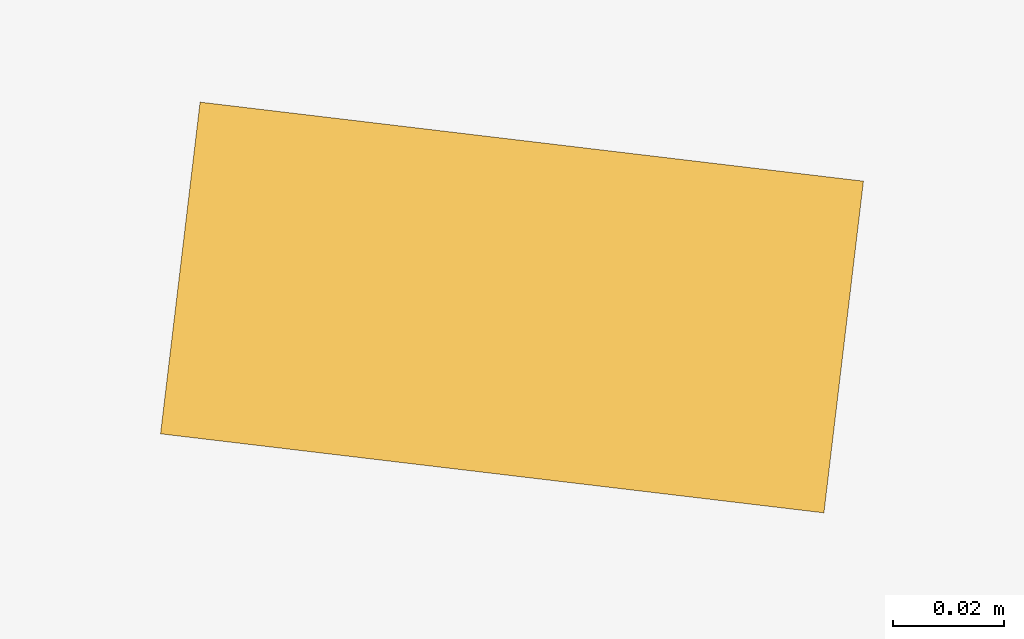
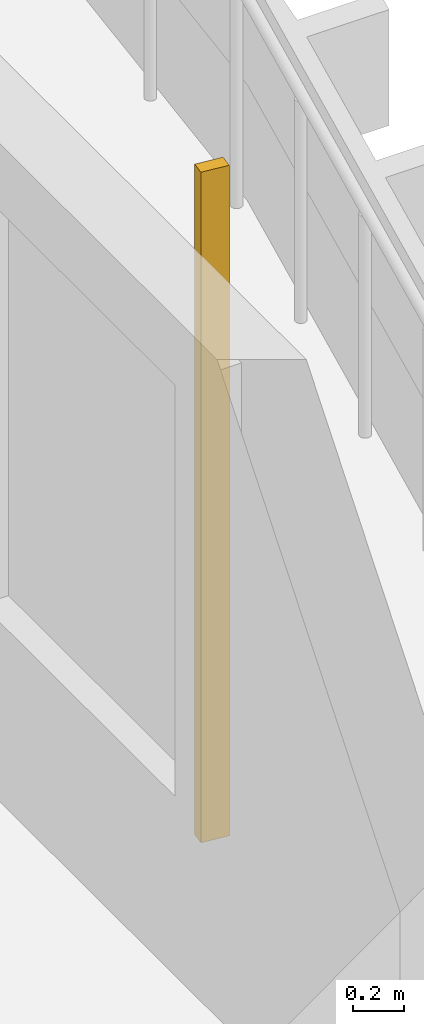
# One storey, part 20 of 22: 1 shading device.
"""IFC4 building model written with IfcOpenShell, lengths in metres."""

from ifc_helpers import new_model, si_unit, direction, frame, origin, origin_2d, place, context, subcontext, project, spatial, rectangle, extrude, source, transform, mapped, material, material_profile, profile_set, type_object, element, save


model = new_model("IFC4")

# Units and contexts
model_context = context("Model", 3, precision=1e-05, world=origin(), true_north=direction((0.0, 1.0)))
body_context = subcontext(model_context, "Body", "Model", "MODEL_VIEW")
ifc_project = project(units=[si_unit("LENGTHUNIT", "METRE"), si_unit("AREAUNIT", "SQUARE_METRE"), si_unit("VOLUMEUNIT", "CUBIC_METRE"), si_unit("PLANEANGLEUNIT", "RADIAN"), si_unit("MASSUNIT", "GRAM", prefix="KILO")], contexts=[model_context])

# Site, building, storey
site_placement = place(None, origin())
site = spatial("IfcSite", under=ifc_project, at=site_placement, CompositionType="ELEMENT")
building_placement = place(site_placement, origin())
building = spatial("IfcBuilding", under=site, at=building_placement, Name="Kilnfold Tower and Market Hall", CompositionType="ELEMENT")
storey_placement = place(building_placement, frame((0.0, 0.0, 171.89990234375)))
storey = spatial("IfcBuildingStorey", under=building, at=storey_placement, Name="L40", CompositionType="ELEMENT", Elevation=171.89990234375)

# Shading device
ifc_material = material(Name="Terracotta", Category="masonry")
ifc_material_profile = material_profile(ifc_material, rectangle(XDim=0.06005859375, YDim=0.1201171875, at=origin_2d()), Name="BAG 60x120")
ifc_profile_set = profile_set([ifc_material_profile], Name="Terracotta")
shading_device_type = type_object("IfcShadingDeviceType", Name="BAGUETTE", PredefinedType="USERDEFINED", material=ifc_profile_set)
shared_shape = source(origin(), body_context, "Body", "SweptSolid", [
    extrude(rectangle(XDim=0.06005859375, YDim=0.1201171875, at=origin_2d()), origin(), (0.0, 0.0, 1.0), 3.18017578125),
])
shading_device_placement = place(storey_placement, frame((25.550048828125, 2.33740234375, 0.0), z_axis=(0.0, 0.0, 1.0), x_axis=(0.118320781407, 0.99297542401, 0.0)))
element("IfcShadingDevice", 1, at=shading_device_placement, inside=storey, type_object=shading_device_type, Name="Terracotta baguette L40 E", ObjectType="BAGUETTE", PredefinedType="USERDEFINED", context=body_context, shape_type="MappedRepresentation", body=[
    mapped(shared_shape, transform((0.0, 0.0, 0.0))),
])

save(model, "model.ifc")
